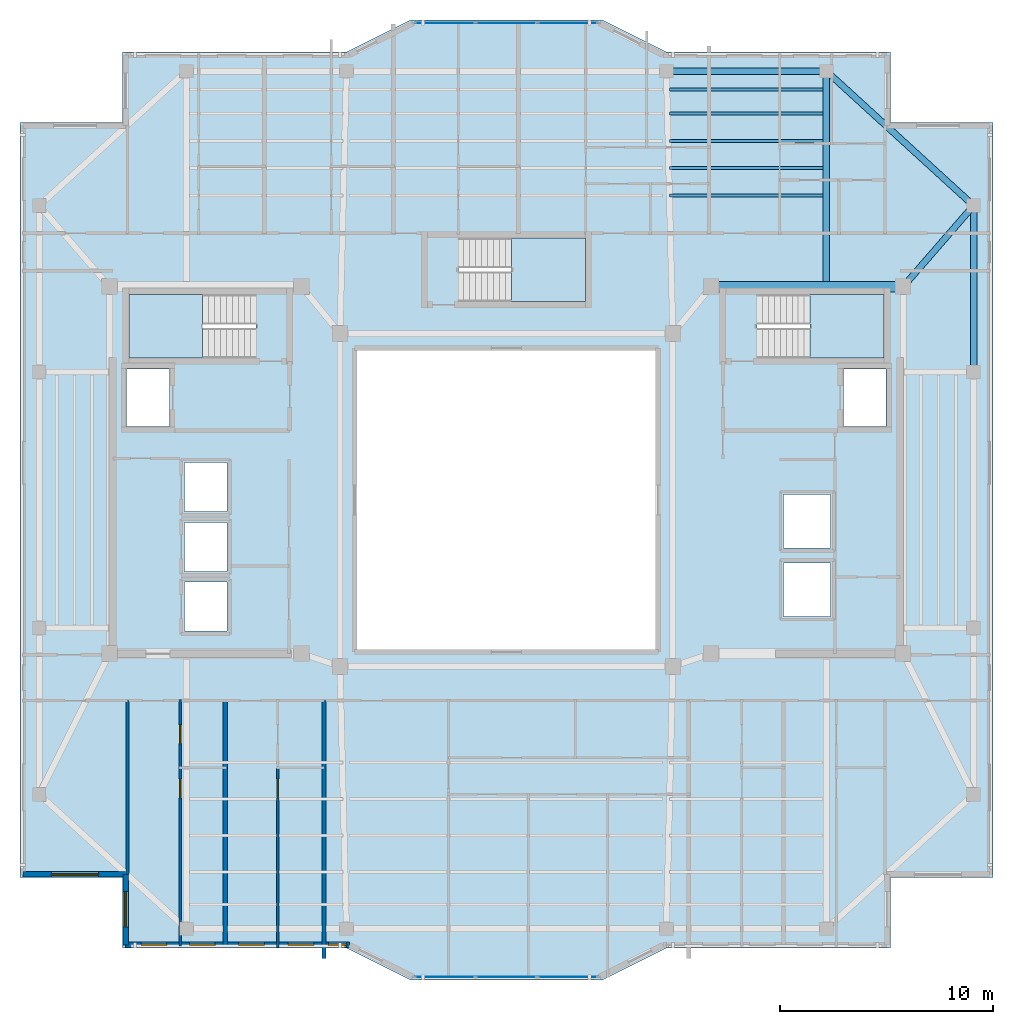
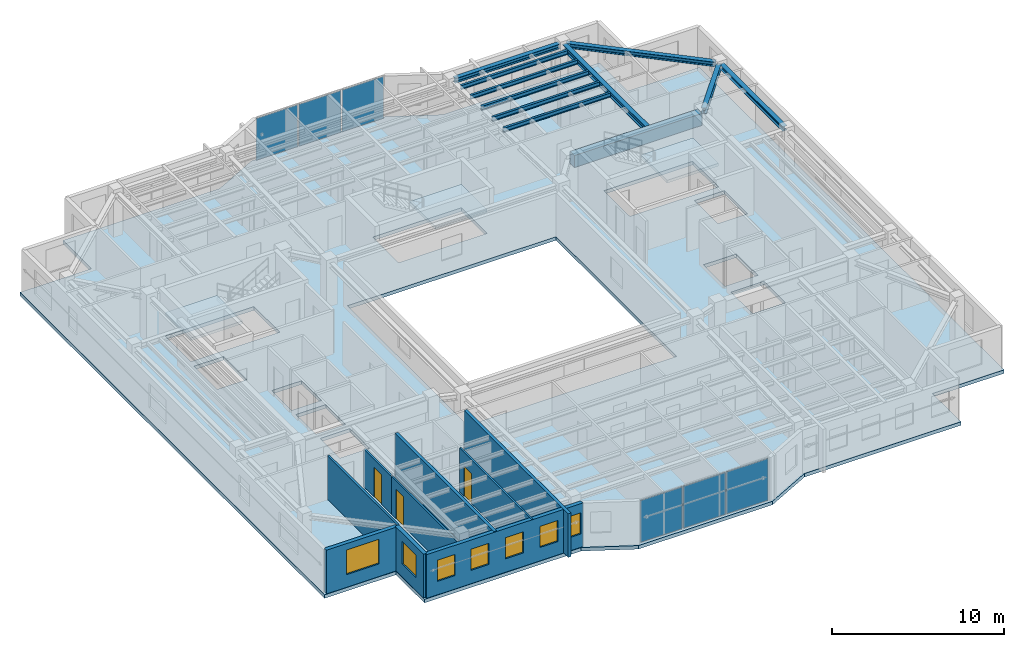
# One storey, part 5 of 14: 11 beams, 9 walls, 7 windows, 6 plates, 4 slabs, 3 doors, 10 openings, 5 elements without a shape of their own.
"""IFC4 building model written with IfcOpenShell, lengths in metres."""

from ifc_helpers import new_model, si_unit, direction, frame, frame_2d, origin, origin_2d, place, context, subcontext, project, spatial, polyline, rectangle, i_section, outline, extrude, material, layer, layer_set, material_profile, profile_set, type_object, element, fill, aggregate, save


model = new_model("IFC4")

# Units and contexts
model_context = context("Model", 3, precision=1e-05, world=origin(), true_north=direction((0.0, 1.0)))
body_context = subcontext(model_context, "Body", "Model", "MODEL_VIEW")
ifc_project = project(units=[si_unit("LENGTHUNIT", "METRE"), si_unit("AREAUNIT", "SQUARE_METRE"), si_unit("VOLUMEUNIT", "CUBIC_METRE"), si_unit("PLANEANGLEUNIT", "RADIAN"), si_unit("MASSUNIT", "GRAM", prefix="KILO")], contexts=[model_context])

# Site, building, storey
site_placement = place(None, origin())
site = spatial("IfcSite", under=ifc_project, at=site_placement, CompositionType="ELEMENT")
building_placement = place(site_placement, origin())
building = spatial("IfcBuilding", under=site, at=building_placement, Name="Tarnavaz Court Tower", CompositionType="ELEMENT")
storey_placement = place(building_placement, frame((0.0, 0.0, 264.949951171875)))
storey = spatial("IfcBuildingStorey", under=building, at=storey_placement, Name="L72", CompositionType="ELEMENT", Elevation=264.949951171875)

# Beams
ifc_material_1 = material(Name="Concrete C50/60", Category="concrete")
ifc_material_profile_1 = material_profile(ifc_material_1, rectangle(XDim=0.5, YDim=0.85009765625, at=origin_2d()), Name="RC 500X850")
ifc_profile_set_1 = profile_set([ifc_material_profile_1], Name="Concrete C50/60")
beam_type_1 = type_object("IfcBeamType", Name="BM-CB850", PredefinedType="LINTEL", material=ifc_profile_set_1)
beam_1_placement = place(storey_placement, frame((18.3798828125, 10.0, 2.675048828125), z_axis=(-1.0, 0.0, 0.0), x_axis=(0.0, -1.0, 0.0)))
element("IfcBeam", 1, at=beam_1_placement, inside=storey, type_object=beam_type_1, Name="L72 Beam IN-CE-NO-CE-NI", PredefinedType="LINTEL", context=body_context, shape_type="SweptSolid", body=[
    extrude(rectangle(XDim=0.5, YDim=0.85009765625, at=origin_2d()), origin(), (0.0, 0.0, 1.0), 8.559814453125),
])
ifc_material_2 = material(Name="Steel S355", Category="steel")
ifc_material_profile_2 = material_profile(ifc_material_2, i_section(OverallWidth=0.300048828125, OverallDepth=0.39990234375, WebThickness=0.013427734375, FlangeThickness=0.02392578125, FilletRadius=0.027099609375, at=origin_2d()), Name="HEB 400")
ifc_profile_set_2 = profile_set([ifc_material_profile_2], Name="Steel S355")
beam_type_2 = type_object("IfcBeamType", Name="BM-G-HEB400", PredefinedType="USERDEFINED", material=ifc_profile_set_2)
beam_2_placement = place(storey_placement, frame((15.0, 10.0400390625, 2.900146484375), z_axis=(0.0, 1.0, 0.0), x_axis=(-1.0, 0.0, 0.0)))
element("IfcBeam", 2, at=beam_2_placement, inside=storey, type_object=beam_type_2, Name="L72 Beam RG-04", ObjectType="GIRDER", PredefinedType="USERDEFINED", context=body_context, shape_type="SweptSolid", body=[
    extrude(i_section(OverallWidth=0.300048828125, OverallDepth=0.39990234375, WebThickness=0.013427734375, FlangeThickness=0.02392578125, FilletRadius=0.027099609375, at=origin_2d()), origin(), (0.0, 0.0, 1.0), 9.83984375),
])
beam_3_placement = place(storey_placement, frame((18.744384765625, 10.166015625, 2.900146484375), z_axis=(0.65565475567, 0.755060819648, 0.0), x_axis=(-0.755060819648, 0.65565475567, 0.0)))
element("IfcBeam", 3, at=beam_3_placement, inside=storey, type_object=beam_type_2, Name="L72 Beam RG-12", ObjectType="GIRDER", PredefinedType="USERDEFINED", context=body_context, shape_type="SweptSolid", body=[
    extrude(i_section(OverallWidth=0.300048828125, OverallDepth=0.39990234375, WebThickness=0.013427734375, FlangeThickness=0.02392578125, FilletRadius=0.027099609375, at=origin_2d()), origin(), (0.0, 0.0, 1.0), 4.5927734375),
])
ifc_material_profile_3 = material_profile(ifc_material_2, i_section(OverallWidth=0.14990234375, OverallDepth=0.300048828125, WebThickness=0.007080078125, FlangeThickness=0.0107421875, FilletRadius=0.014892578125, at=origin_2d()), Name="IPE 300")
ifc_profile_set_3 = profile_set([ifc_material_profile_3], Name="Steel S355")
beam_type_3 = type_object("IfcBeamType", Name="BM-J-IPE300", PredefinedType="JOIST", material=ifc_profile_set_3)
for number, where, z_axis, x_axis, name in (
    (4, (7.64990234375, 14.278076171875, 2.949951171875), (1.0, 0.0, 0.0), (0.0, 1.0, 0.0), "L72 Beam JN1-3"),
    (5, (7.64990234375, 15.555908203125, 2.949951171875), (1.0, 0.0, 0.0), (0.0, 1.0, 0.0), "L72 Beam JN2-3"),
    (6, (7.64990234375, 16.833984375, 2.949951171875), (1.0, 0.0, 0.0), (0.0, 1.0, 0.0), "L72 Beam JN3-3"),
    (7, (7.64990234375, 18.112060546875, 2.949951171875), (1.0, 0.0, 0.0), (0.0, 1.0, 0.0), "L72 Beam JN4-3"),
    (8, (7.64990234375, 19.248046875, 2.949951171875), (1.0, 0.0, 0.0), (0.0, 1.0, 0.0), "L72 Beam JN5-3"),
):
    element("IfcBeam", number, at=place(storey_placement, frame(where, z_axis=z_axis, x_axis=x_axis)), inside=storey, type_object=beam_type_3, Name=name, PredefinedType="JOIST", context=body_context, shape_type="SweptSolid", body=[
        extrude(i_section(OverallWidth=0.14990234375, OverallDepth=0.300048828125, WebThickness=0.007080078125, FlangeThickness=0.0107421875, FilletRadius=0.014892578125, at=origin_2d()), origin(), (0.0, 0.0, 1.0), 7.2001953125),
    ])
ifc_material_profile_4 = material_profile(ifc_material_2, i_section(OverallWidth=0.300048828125, OverallDepth=0.330078125, WebThickness=0.009521484375, FlangeThickness=0.0166015625, FilletRadius=0.027099609375, at=origin_2d()), Name="HEA 340")
ifc_profile_set_4 = profile_set([ifc_material_profile_4], Name="Steel S355")
beam_type_4 = type_object("IfcBeamType", Name="BM-SP-HEA340", PredefinedType="BEAM", material=ifc_profile_set_4)
beam_4_placement = place(storey_placement, frame((7.719970703125, 20.10009765625, 2.93505859375), z_axis=(1.0, 0.0, 0.0), x_axis=(0.0, 1.0, 0.0)))
element("IfcBeam", 9, at=beam_4_placement, inside=storey, type_object=beam_type_4, Name="L72 Beam PR-PN-3-PN-4", PredefinedType="BEAM", context=body_context, shape_type="SweptSolid", body=[
    extrude(i_section(OverallWidth=0.300048828125, OverallDepth=0.330078125, WebThickness=0.009521484375, FlangeThickness=0.0166015625, FilletRadius=0.027099609375, at=origin_2d()), origin(), (0.0, 0.0, 1.0), 7.06005859375),
])
beam_5_placement = place(storey_placement, frame((21.89990234375, 6.219970703125, 2.93505859375), z_axis=(0.0, 1.0, 0.0), x_axis=(-1.0, 0.0, 0.0)))
element("IfcBeam", 10, at=beam_5_placement, inside=storey, type_object=beam_type_4, Name="L72 Beam PR-PE-3-PE-4", PredefinedType="BEAM", context=body_context, shape_type="SweptSolid", body=[
    extrude(i_section(OverallWidth=0.300048828125, OverallDepth=0.330078125, WebThickness=0.009521484375, FlangeThickness=0.0166015625, FilletRadius=0.027099609375, at=origin_2d()), origin(), (0.0, 0.0, 1.0), 7.360107421875),
])
beam_6_placement = place(storey_placement, frame((15.16259765625, 19.95166015625, 2.93505859375), z_axis=(0.738474214476, -0.674281717499, 0.0), x_axis=(0.674281717499, 0.738474214476, 0.0)))
element("IfcBeam", 11, at=beam_6_placement, inside=storey, type_object=beam_type_4, Name="L72 Beam PR-PN-4-PE-4", PredefinedType="BEAM", context=body_context, shape_type="SweptSolid", body=[
    extrude(i_section(OverallWidth=0.300048828125, OverallDepth=0.330078125, WebThickness=0.009521484375, FlangeThickness=0.0166015625, FilletRadius=0.027099609375, at=origin_2d()), origin(), (0.0, 0.0, 1.0), 8.9033203125),
])

# Curtain wall, plates
ifc_material_3 = material(Name="Anodised Aluminium 6063-T6 and Solar Low-E Glazing", Category="aluminium")
ifc_layer_1 = layer(ifc_material_3, 0.159912109375)
ifc_layer_set_1 = layer_set([ifc_layer_1], Name="Anodised Aluminium 6063-T6 and Solar Low-E Glazing")
curtain_wall_type = type_object("IfcCurtainWallType", Name="CW-SYS-03", PredefinedType="NOTDEFINED", material=ifc_layer_set_1)
curtain_wall_1_placement = place(storey_placement, origin())
curtain_wall_1 = element("IfcCurtainWall", 12, at=curtain_wall_1_placement, inside=storey, type_object=curtain_wall_type, Name="L72 Iwan Prow Curtain Wall 7", PredefinedType="NOTDEFINED")
ifc_material_4 = material(Name="Double-Glazed Solar Low-E Glass", Category="glass")
ifc_layer_2 = layer(ifc_material_4, 0.028076171875)
ifc_layer_set_2 = layer_set([ifc_layer_2], Name="Double-Glazed Solar Low-E Glass")
plate_type = type_object("IfcPlateType", Name="CW-PAN-GLZ28", PredefinedType="CURTAIN_PANEL", material=ifc_layer_set_2)
plate_1_placement = place(storey_placement, frame((-2.88134765625, 22.35009765625, 0.06494140625), z_axis=(0.0, 0.0, 1.0), x_axis=(1.0, 0.0, 0.0)))
plate_1 = element("IfcPlate", 13, at=plate_1_placement, type_object=plate_type, Name="CW panel 1.1", PredefinedType="CURTAIN_PANEL", context=body_context, shape_type="SweptSolid", body=[
    extrude(rectangle(XDim=2.78759765625, YDim=0.028076171875, at=origin_2d()), origin(), (0.0, 0.0, 1.0), 2.969970703125),
])
plate_2_placement = place(storey_placement, frame((0.0, 22.35009765625, 0.06494140625), z_axis=(0.0, 0.0, 1.0), x_axis=(1.0, 0.0, 0.0)))
plate_2 = element("IfcPlate", 14, at=plate_2_placement, type_object=plate_type, Name="CW panel 2.1", PredefinedType="CURTAIN_PANEL", context=body_context, shape_type="SweptSolid", body=[
    extrude(rectangle(XDim=2.824951171875, YDim=0.028076171875, at=origin_2d()), origin(), (0.0, 0.0, 1.0), 2.969970703125),
])
plate_3_placement = place(storey_placement, frame((2.88134765625, 22.35009765625, 0.06494140625), z_axis=(0.0, 0.0, 1.0), x_axis=(1.0, 0.0, 0.0)))
plate_3 = element("IfcPlate", 15, at=plate_3_placement, type_object=plate_type, Name="CW panel 3.1", PredefinedType="CURTAIN_PANEL", context=body_context, shape_type="SweptSolid", body=[
    extrude(rectangle(XDim=2.78759765625, YDim=0.028076171875, at=origin_2d()), origin(), (0.0, 0.0, 1.0), 2.969970703125),
])
aggregate(curtain_wall_1, [plate_1, plate_2, plate_3])

curtain_wall_2_placement = place(storey_placement, origin())
curtain_wall_2 = element("IfcCurtainWall", 16, at=curtain_wall_2_placement, inside=storey, type_object=curtain_wall_type, Name="L72 Iwan Prow Curtain Wall 17", PredefinedType="NOTDEFINED")
plate_4_placement = place(storey_placement, frame((2.88134765625, -22.35009765625, 0.06494140625), z_axis=(0.0, 0.0, 1.0), x_axis=(-1.0, 0.0, 0.0)))
plate_4 = element("IfcPlate", 17, at=plate_4_placement, type_object=plate_type, Name="CW panel 1.1", PredefinedType="CURTAIN_PANEL", context=body_context, shape_type="SweptSolid", body=[
    extrude(rectangle(XDim=2.78759765625, YDim=0.028076171875, at=origin_2d()), origin(), (0.0, 0.0, 1.0), 2.969970703125),
])
plate_5_placement = place(storey_placement, frame((0.0, -22.35009765625, 0.06494140625), z_axis=(0.0, 0.0, 1.0), x_axis=(-1.0, 0.0, 0.0)))
plate_5 = element("IfcPlate", 18, at=plate_5_placement, type_object=plate_type, Name="CW panel 2.1", PredefinedType="CURTAIN_PANEL", context=body_context, shape_type="SweptSolid", body=[
    extrude(rectangle(XDim=2.824951171875, YDim=0.028076171875, at=origin_2d()), origin(), (0.0, 0.0, 1.0), 2.969970703125),
])
plate_6_placement = place(storey_placement, frame((-2.88134765625, -22.35009765625, 0.06494140625), z_axis=(0.0, 0.0, 1.0), x_axis=(-1.0, 0.0, 0.0)))
plate_6 = element("IfcPlate", 19, at=plate_6_placement, type_object=plate_type, Name="CW panel 3.1", PredefinedType="CURTAIN_PANEL", context=body_context, shape_type="SweptSolid", body=[
    extrude(rectangle(XDim=2.78759765625, YDim=0.028076171875, at=origin_2d()), origin(), (0.0, 0.0, 1.0), 2.969970703125),
])
aggregate(curtain_wall_2, [plate_4, plate_5, plate_6])

# Stair, slab
ifc_material_5 = material(Name="Concrete C40/50", Category="concrete")
stair_type = type_object("IfcStairType", Name="ST-TWR-20R", PredefinedType="HALF_TURN_STAIR", material=ifc_material_5)
stair_1_placement = place(storey_placement, origin())
stair_1 = element("IfcStair", 20, at=stair_1_placement, inside=storey, type_object=stair_type, Name="L72 West Core Pressurized Exit Stair ST-W1", PredefinedType="HALF_TURN_STAIR")
ifc_layer_3 = layer(ifc_material_5, 0.199951171875)
ifc_layer_set_3 = layer_set([ifc_layer_3], Name="Concrete C40/50")
slab_type_1 = type_object("IfcSlabType", Name="SL-LAND-200", PredefinedType="LANDING", material=ifc_layer_set_3)
slab_1_placement = place(storey_placement, frame((0.0, 0.0, 1.47509765625)))
slab_1 = element("IfcSlab", 21, at=slab_1_placement, type_object=slab_type_1, Name="ST-W1 landing 1", PredefinedType="LANDING", context=body_context, shape_type="SweptSolid", body=[
    extrude(outline(polyline([(-14.239990234375, 9.639892578125), (-17.699951171875, 9.639892578125), (-17.699951171875, 6.64990234375), (-14.239990234375, 6.64990234375), (-14.239990234375, 9.639892578125)])), origin(), (0.0, 0.0, 1.0), 0.199951171875),
])
aggregate(stair_1, [slab_1])

stair_2_placement = place(storey_placement, origin())
stair_2 = element("IfcStair", 22, at=stair_2_placement, inside=storey, type_object=stair_type, Name="L72 East Core Pressurized Exit Stair ST-E1", PredefinedType="HALF_TURN_STAIR")
slab_2_placement = place(storey_placement, frame((0.0, 0.0, 1.47509765625)))
slab_2 = element("IfcSlab", 23, at=slab_2_placement, type_object=slab_type_1, Name="ST-E1 landing 1", PredefinedType="LANDING", context=body_context, shape_type="SweptSolid", body=[
    extrude(outline(polyline([(14.239990234375, 6.64990234375), (17.699951171875, 6.64990234375), (17.699951171875, 9.639892578125), (14.239990234375, 9.639892578125), (14.239990234375, 6.64990234375)])), origin(), (0.0, 0.0, 1.0), 0.199951171875),
])
aggregate(stair_2, [slab_2])

stair_3_placement = place(storey_placement, origin())
stair_3 = element("IfcStair", 24, at=stair_3_placement, inside=storey, type_object=stair_type, Name="L72 North Ring Pressurized Exit Stair ST-N1", PredefinedType="HALF_TURN_STAIR")
slab_3_placement = place(storey_placement, frame((0.0, 0.0, 1.47509765625)))
slab_3 = element("IfcSlab", 25, at=slab_3_placement, type_object=slab_type_1, Name="ST-N1 landing 1", PredefinedType="LANDING", context=body_context, shape_type="SweptSolid", body=[
    extrude(outline(polyline([(0.239990234375, 9.300048828125), (3.699951171875, 9.300048828125), (3.699951171875, 12.2900390625), (0.239990234375, 12.2900390625), (0.239990234375, 9.300048828125)])), origin(), (0.0, 0.0, 1.0), 0.199951171875),
])
aggregate(stair_3, [slab_3])

# Slab
ifc_layer_4 = layer(ifc_material_5, 0.25)
ifc_layer_set_4 = layer_set([ifc_layer_4], Name="Concrete C40/50")
slab_type_2 = type_object("IfcSlabType", Name="SL-RES-250", PredefinedType="FLOOR", material=ifc_layer_set_4)
slab_4_placement = place(storey_placement, frame((0.0, 0.0, -0.25)))
element("IfcSlab", 26, at=slab_4_placement, inside=storey, type_object=slab_type_2, Name="L72 Structural Floor Slab", PredefinedType="FLOOR", context=body_context, shape_type="SweptSolid", body=[
    extrude(outline(polyline([(-18.0, -21.0), (-7.5, -21.0), (-4.5, -22.5), (4.5, -22.5), (7.5, -21.0), (18.0, -21.0), (18.0, -17.699951171875), (22.800048828125, -17.699951171875), (22.800048828125, 17.699951171875), (18.0, 17.699951171875), (18.0, 21.0), (7.5, 21.0), (4.5, 22.5), (-4.5, 22.5), (-7.5, 21.0), (-18.0, 21.0), (-18.0, 17.699951171875), (-22.800048828125, 17.699951171875), (-22.800048828125, -17.699951171875), (-18.0, -17.699951171875), (-18.0, -21.0)]), holes=[polyline([(-7.0, -7.0), (7.0, -7.0), (7.0, 7.0), (-7.0, 7.0), (-7.0, -7.0)]), polyline([(-11.7451171875, 9.639892578125), (-17.699951171875, 9.639892578125), (-17.699951171875, 6.64990234375), (-11.7451171875, 6.64990234375), (-11.7451171875, 9.639892578125)]), polyline([(11.7451171875, 6.64990234375), (17.699951171875, 6.64990234375), (17.699951171875, 9.639892578125), (11.7451171875, 9.639892578125), (11.7451171875, 6.64990234375)]), polyline([(-2.2548828125, 9.300048828125), (3.699951171875, 9.300048828125), (3.699951171875, 12.2900390625), (-2.2548828125, 12.2900390625), (-2.2548828125, 9.300048828125)]), polyline([(-17.800048828125, 3.449951171875), (-15.800048828125, 3.449951171875), (-15.800048828125, 6.14990234375), (-17.800048828125, 6.14990234375), (-17.800048828125, 3.449951171875)]), polyline([(-15.10009765625, -6.14990234375), (-13.10009765625, -6.14990234375), (-13.10009765625, -3.85009765625), (-15.10009765625, -3.85009765625), (-15.10009765625, -6.14990234375)]), polyline([(-15.10009765625, -3.35009765625), (-13.10009765625, -3.35009765625), (-13.10009765625, -1.050048828125), (-15.10009765625, -1.050048828125), (-15.10009765625, -3.35009765625)]), polyline([(-15.10009765625, -0.550048828125), (-13.10009765625, -0.550048828125), (-13.10009765625, 1.75), (-15.10009765625, 1.75), (-15.10009765625, -0.550048828125)]), polyline([(15.800048828125, 3.449951171875), (17.800048828125, 3.449951171875), (17.800048828125, 6.14990234375), (15.800048828125, 6.14990234375), (15.800048828125, 3.449951171875)]), polyline([(13.0, -5.449951171875), (15.199951171875, -5.449951171875), (15.199951171875, -2.949951171875), (13.0, -2.949951171875), (13.0, -5.449951171875)]), polyline([(13.0, -2.25), (15.199951171875, -2.25), (15.199951171875, 0.25), (13.0, 0.25), (13.0, -2.25)])]), origin(), (0.0, 0.0, 1.0), 0.25),
])

# Wall, opening, window
ifc_material_6 = material(Name="Precast Concrete C40/50", Category="concrete")
ifc_layer_5 = layer(ifc_material_6, 0.260009765625)
ifc_layer_set_5 = layer_set([ifc_layer_5], Name="Precast Concrete C40/50")
wall_type_1 = type_object("IfcWallType", Name="WL-EXT-260", PredefinedType="SOLIDWALL", material=ifc_layer_set_5)
wall_1_placement = place(storey_placement, frame((-17.85009765625, -17.550048828125, 0.0), z_axis=(0.0, 0.0, 1.0), x_axis=(-1.0, 0.0, 0.0)))
wall_1 = element("IfcWall", 27, at=wall_1_placement, inside=storey, type_object=wall_type_1, Name="L72 Exterior Terracotta Facade Wall 01", PredefinedType="SOLIDWALL", context=body_context, shape_type="SweptSolid", body=[
    extrude(rectangle(XDim=4.7998046875, YDim=0.260009765625, at=frame_2d((2.39990234375, 0.0))), origin(), (0.0, 0.0, 1.0), 3.10009765625),
])
opening_1_placement = place(wall_1_placement, frame((1.274658203125, 0.0, 0.89990234375)))
opening_1 = element("IfcOpeningElement", 28, at=opening_1_placement, cuts=wall_1, Name="Opening W07", PredefinedType="OPENING", context=body_context, shape_type="SweptSolid", body=[
    extrude(rectangle(XDim=2.199951171875, YDim=1.75, at=frame_2d((1.10009765625, 0.875))), frame((0.0, 0.139892578125, 0.0), z_axis=(0.0, -1.0, 0.0), x_axis=(1.0, 0.0, 0.0)), (0.0, 0.0, 1.0), 0.280029296875),
])
window_type_1 = type_object("IfcWindowType", Name="WN-APT-2200", PartitioningType="TRIPLE_PANEL_VERTICAL", PredefinedType="WINDOW", material=ifc_material_4)
window_1_placement = place(opening_1_placement, origin())
window_1 = element("IfcWindow", 29, at=window_1_placement, inside=storey, type_object=window_type_1, Name="L72 South-West Corner Reading Room Window", OverallHeight=1.75, OverallWidth=2.199951171875, PartitioningType="SINGLE_PANEL", PredefinedType="WINDOW", context=body_context, shape_type="SweptSolid", body=[
    extrude(rectangle(XDim=2.199951171875, YDim=1.75, at=frame_2d((1.10009765625, 0.875))), frame((0.0, 0.030029296875, 0.0), z_axis=(0.0, -1.0, 0.0), x_axis=(1.0, 0.0, 0.0)), (0.0, 0.0, 1.0), 0.06005859375),
])
fill(opening_1, window_1)

# Wall, openings, windows
wall_2_placement = place(storey_placement, frame((-7.35009765625, -20.85009765625, 0.0), z_axis=(0.0, 0.0, 1.0), x_axis=(-1.0, 0.0, 0.0)))
wall_2 = element("IfcWall", 30, at=wall_2_placement, inside=storey, type_object=wall_type_1, Name="L72 Exterior Terracotta Facade Wall 19", PredefinedType="SOLIDWALL", context=body_context, shape_type="SweptSolid", body=[
    extrude(rectangle(XDim=10.5, YDim=0.260009765625, at=frame_2d((5.25, 0.0))), origin(), (0.0, 0.0, 1.0), 3.10009765625),
])
opening_2_placement = place(wall_2_placement, frame((0.14501953125, 0.0, 0.949951171875)))
opening_2 = element("IfcOpeningElement", 31, at=opening_2_placement, cuts=wall_2, Name="Opening W15", PredefinedType="OPENING", context=body_context, shape_type="SweptSolid", body=[
    extrude(rectangle(XDim=0.85009765625, YDim=1.5, at=frame_2d((0.425048828125, 0.75))), frame((0.0, 0.139892578125, 0.0), z_axis=(0.0, -1.0, 0.0), x_axis=(1.0, 0.0, 0.0)), (0.0, 0.0, 1.0), 0.280029296875),
])
opening_3_placement = place(wall_2_placement, frame((1.677490234375, 0.0, 0.949951171875)))
opening_3 = element("IfcOpeningElement", 32, at=opening_3_placement, cuts=wall_2, Name="Opening W05", PredefinedType="OPENING", context=body_context, shape_type="SweptSolid", body=[
    extrude(rectangle(XDim=1.199951171875, YDim=1.5, at=frame_2d((0.60009765625, 0.75))), frame((0.0, 0.139892578125, 0.0), z_axis=(0.0, -1.0, 0.0), x_axis=(1.0, 0.0, 0.0)), (0.0, 0.0, 1.0), 0.280029296875),
])
opening_4_placement = place(wall_2_placement, frame((4.0, 0.0, 0.949951171875)))
opening_4 = element("IfcOpeningElement", 33, at=opening_4_placement, cuts=wall_2, Name="Opening W05", PredefinedType="OPENING", context=body_context, shape_type="SweptSolid", body=[
    extrude(rectangle(XDim=1.199951171875, YDim=1.5, at=frame_2d((0.60009765625, 0.75))), frame((0.0, 0.139892578125, 0.0), z_axis=(0.0, -1.0, 0.0), x_axis=(1.0, 0.0, 0.0)), (0.0, 0.0, 1.0), 0.280029296875),
])
opening_5_placement = place(wall_2_placement, frame((6.302490234375, 0.0, 0.949951171875)))
opening_5 = element("IfcOpeningElement", 34, at=opening_5_placement, cuts=wall_2, Name="Opening W05", PredefinedType="OPENING", context=body_context, shape_type="SweptSolid", body=[
    extrude(rectangle(XDim=1.199951171875, YDim=1.5, at=frame_2d((0.60009765625, 0.75))), frame((0.0, 0.139892578125, 0.0), z_axis=(0.0, -1.0, 0.0), x_axis=(1.0, 0.0, 0.0)), (0.0, 0.0, 1.0), 0.280029296875),
])
opening_6_placement = place(wall_2_placement, frame((8.574951171875, 0.0, 0.949951171875)))
opening_6 = element("IfcOpeningElement", 35, at=opening_6_placement, cuts=wall_2, Name="Opening W05", PredefinedType="OPENING", context=body_context, shape_type="SweptSolid", body=[
    extrude(rectangle(XDim=1.199951171875, YDim=1.5, at=frame_2d((0.60009765625, 0.75))), frame((0.0, 0.139892578125, 0.0), z_axis=(0.0, -1.0, 0.0), x_axis=(1.0, 0.0, 0.0)), (0.0, 0.0, 1.0), 0.280029296875),
])
window_type_2 = type_object("IfcWindowType", Name="WN-APT-1200", PartitioningType="SINGLE_PANEL", PredefinedType="WINDOW", material=ifc_material_4)
window_2_placement = place(opening_3_placement, origin())
window_2 = element("IfcWindow", 36, at=window_2_placement, inside=storey, type_object=window_type_2, Name="L72 Flat 07 Kitchen Window", OverallHeight=1.5, OverallWidth=1.199951171875, PartitioningType="SINGLE_PANEL", PredefinedType="WINDOW", context=body_context, shape_type="SweptSolid", body=[
    extrude(rectangle(XDim=1.199951171875, YDim=1.5, at=frame_2d((0.60009765625, 0.75))), frame((0.0, 0.030029296875, 0.0), z_axis=(0.0, -1.0, 0.0), x_axis=(1.0, 0.0, 0.0)), (0.0, 0.0, 1.0), 0.06005859375),
])
fill(opening_3, window_2)
window_3_placement = place(opening_4_placement, origin())
window_3 = element("IfcWindow", 37, at=window_3_placement, inside=storey, type_object=window_type_2, Name="L72 Flat 07 Studio Living and Sleeping Room Window", OverallHeight=1.5, OverallWidth=1.199951171875, PartitioningType="SINGLE_PANEL", PredefinedType="WINDOW", context=body_context, shape_type="SweptSolid", body=[
    extrude(rectangle(XDim=1.199951171875, YDim=1.5, at=frame_2d((0.60009765625, 0.75))), frame((0.0, 0.030029296875, 0.0), z_axis=(0.0, -1.0, 0.0), x_axis=(1.0, 0.0, 0.0)), (0.0, 0.0, 1.0), 0.06005859375),
])
fill(opening_4, window_3)
window_4_placement = place(opening_5_placement, origin())
window_4 = element("IfcWindow", 38, at=window_4_placement, inside=storey, type_object=window_type_2, Name="L72 Flat 06 Kitchen Window", OverallHeight=1.5, OverallWidth=1.199951171875, PartitioningType="SINGLE_PANEL", PredefinedType="WINDOW", context=body_context, shape_type="SweptSolid", body=[
    extrude(rectangle(XDim=1.199951171875, YDim=1.5, at=frame_2d((0.60009765625, 0.75))), frame((0.0, 0.030029296875, 0.0), z_axis=(0.0, -1.0, 0.0), x_axis=(1.0, 0.0, 0.0)), (0.0, 0.0, 1.0), 0.06005859375),
])
fill(opening_5, window_4)
window_5_placement = place(opening_6_placement, origin())
window_5 = element("IfcWindow", 39, at=window_5_placement, inside=storey, type_object=window_type_2, Name="L72 Flat 06 Studio Living and Sleeping Room Window", OverallHeight=1.5, OverallWidth=1.199951171875, PartitioningType="SINGLE_PANEL", PredefinedType="WINDOW", context=body_context, shape_type="SweptSolid", body=[
    extrude(rectangle(XDim=1.199951171875, YDim=1.5, at=frame_2d((0.60009765625, 0.75))), frame((0.0, 0.030029296875, 0.0), z_axis=(0.0, -1.0, 0.0), x_axis=(1.0, 0.0, 0.0)), (0.0, 0.0, 1.0), 0.06005859375),
])
fill(opening_6, window_5)
window_type_3 = type_object("IfcWindowType", Name="WN-APT-850", PartitioningType="SINGLE_PANEL", PredefinedType="WINDOW", material=ifc_material_4)
window_6_placement = place(opening_2_placement, origin())
window_6 = element("IfcWindow", 40, at=window_6_placement, inside=storey, type_object=window_type_3, Name="L72 Flat 10 Living and Dining Room Window", OverallHeight=1.5, OverallWidth=0.85009765625, PartitioningType="SINGLE_PANEL", PredefinedType="WINDOW", context=body_context, shape_type="SweptSolid", body=[
    extrude(rectangle(XDim=0.85009765625, YDim=1.5, at=frame_2d((0.425048828125, 0.75))), frame((0.0, 0.030029296875, 0.0), z_axis=(0.0, -1.0, 0.0), x_axis=(1.0, 0.0, 0.0)), (0.0, 0.0, 1.0), 0.06005859375),
])
fill(opening_2, window_6)

# Wall, opening, window
wall_3_placement = place(storey_placement, frame((-17.85009765625, -20.85009765625, 0.0), z_axis=(0.0, 0.0, 1.0), x_axis=(0.0, 1.0, 0.0)))
wall_3 = element("IfcWall", 41, at=wall_3_placement, inside=storey, type_object=wall_type_1, Name="L72 Exterior Terracotta Facade Wall 20", PredefinedType="SOLIDWALL", context=body_context, shape_type="SweptSolid", body=[
    extrude(rectangle(XDim=3.300048828125, YDim=0.260009765625, at=frame_2d((1.64990234375, 0.0))), origin(), (0.0, 0.0, 1.0), 3.10009765625),
])
opening_7_placement = place(wall_3_placement, frame((0.842529296875, 0.0, 0.89990234375)))
opening_7 = element("IfcOpeningElement", 42, at=opening_7_placement, cuts=wall_3, Name="Opening W02", PredefinedType="OPENING", context=body_context, shape_type="SweptSolid", body=[
    extrude(rectangle(XDim=1.64990234375, YDim=1.60009765625, at=frame_2d((0.824951171875, 0.800048828125))), frame((0.0, 0.139892578125, 0.0), z_axis=(0.0, -1.0, 0.0), x_axis=(1.0, 0.0, 0.0)), (0.0, 0.0, 1.0), 0.280029296875),
])
window_type_4 = type_object("IfcWindowType", Name="WN-APT-1650", PartitioningType="DOUBLE_PANEL_VERTICAL", PredefinedType="WINDOW", material=ifc_material_4)
window_7_placement = place(opening_7_placement, origin())
window_7 = element("IfcWindow", 43, at=window_7_placement, inside=storey, type_object=window_type_4, Name="L72 Flat 06 Studio Living and Sleeping Room Window", OverallHeight=1.60009765625, OverallWidth=1.64990234375, PartitioningType="SINGLE_PANEL", PredefinedType="WINDOW", context=body_context, shape_type="SweptSolid", body=[
    extrude(rectangle(XDim=1.64990234375, YDim=1.60009765625, at=frame_2d((0.824951171875, 0.800048828125))), frame((0.0, 0.030029296875, 0.0), z_axis=(0.0, -1.0, 0.0), x_axis=(1.0, 0.0, 0.0)), (0.0, 0.0, 1.0), 0.06005859375),
])
fill(opening_7, window_7)

# Walls
ifc_material_7 = material(Name="Autoclaved Aerated Concrete Blockwork", Category="masonry")
ifc_layer_6 = layer(ifc_material_7, 0.199951171875)
ifc_layer_set_6 = layer_set([ifc_layer_6], Name="Autoclaved Aerated Concrete Blockwork")
wall_type_2 = type_object("IfcWallType", Name="WL-FIRE-200", PredefinedType="SOLIDWALL", material=ifc_layer_set_6)
wall_4_placement = place(storey_placement, frame((-13.175048828125, -20.89990234375, 0.0), z_axis=(0.0, 0.0, 1.0), x_axis=(0.0, 1.0, 0.0)))
element("IfcWall", 44, at=wall_4_placement, inside=storey, type_object=wall_type_2, Name="L72 Party Wall 085", PredefinedType="SOLIDWALL", context=body_context, shape_type="SweptSolid", body=[
    extrude(rectangle(XDim=11.5, YDim=0.199951171875, at=frame_2d((5.75, 0.0))), origin(), (0.0, 0.0, 1.0), 3.10009765625),
])
wall_5_placement = place(storey_placement, frame((-8.550048828125, -21.50390625, 0.0), z_axis=(0.0, 0.0, 1.0), x_axis=(0.0, 1.0, 0.0)))
element("IfcWall", 45, at=wall_5_placement, inside=storey, type_object=wall_type_2, Name="L72 Party Wall 099", PredefinedType="SOLIDWALL", context=body_context, shape_type="SweptSolid", body=[
    extrude(rectangle(XDim=12.10400390625, YDim=0.199951171875, at=frame_2d((6.052001953125, 0.0))), origin(), (0.0, 0.0, 1.0), 3.10009765625),
])

# Wall, opening, door
ifc_material_8 = material(Name="Moisture-Resistant Gypsum Board Partition", Category="masonry")
ifc_layer_7 = layer(ifc_material_8, 0.1201171875)
ifc_layer_set_7 = layer_set([ifc_layer_7], Name="Moisture-Resistant Gypsum Board Partition")
wall_type_3 = type_object("IfcWallType", Name="WL-PART-120", PredefinedType="PARTITIONING", material=ifc_layer_set_7)
wall_6_placement = place(storey_placement, frame((-15.2900390625, -20.89990234375, 0.0), z_axis=(0.0, 0.0, 1.0), x_axis=(0.0, 1.0, 0.0)))
wall_6 = element("IfcWall", 46, at=wall_6_placement, inside=storey, type_object=wall_type_3, Name="L72 Interior Partition 086", PredefinedType="PARTITIONING", context=body_context, shape_type="SweptSolid", body=[
    extrude(rectangle(XDim=8.33984375, YDim=0.1201171875, at=frame_2d((4.169921875, 0.0))), origin(), (0.0, 0.0, 1.0), 2.68505859375),
])
opening_8_placement = place(wall_6_placement, frame((6.93994140625, 0.0, 0.0)))
opening_8 = element("IfcOpeningElement", 47, at=opening_8_placement, cuts=wall_6, Name="Opening D14", PredefinedType="OPENING", context=body_context, shape_type="SweptSolid", body=[
    extrude(rectangle(XDim=0.8798828125, YDim=2.10009765625, at=frame_2d((0.43994140625, 1.050048828125))), frame((0.0, 0.070068359375, 0.0), z_axis=(0.0, -1.0, 0.0), x_axis=(1.0, 0.0, 0.0)), (0.0, 0.0, 1.0), 0.14013671875),
])
ifc_material_9 = material(Name="Engineered Oak Timber", Category="wood")
door_type = type_object("IfcDoorType", Name="DR-INT-900", OperationType="NOTDEFINED", PredefinedType="DOOR", material=ifc_material_9)
door_1_placement = place(opening_8_placement, origin())
door_1 = element("IfcDoor", 48, at=door_1_placement, inside=storey, type_object=door_type, Name="L72 Flat 06 Kitchen Door", OperationType="SINGLE_SWING_RIGHT", OverallHeight=2.10009765625, OverallWidth=0.8798828125, PredefinedType="DOOR", context=body_context, shape_type="SweptSolid", body=[
    extrude(rectangle(XDim=0.8798828125, YDim=2.10009765625, at=frame_2d((0.43994140625, 1.050048828125))), frame((0.0, 0.02490234375, 0.0), z_axis=(0.0, -1.0, 0.0), x_axis=(1.0, 0.0, 0.0)), (0.0, 0.0, 1.0), 0.050048828125),
])
fill(opening_8, door_1)

wall_7_placement = place(storey_placement, frame((-15.2900390625, -12.56005859375, 0.0), z_axis=(0.0, 0.0, 1.0), x_axis=(0.0, 1.0, 0.0)))
wall_7 = element("IfcWall", 49, at=wall_7_placement, inside=storey, type_object=wall_type_3, Name="L72 Interior Partition 087", PredefinedType="PARTITIONING", context=body_context, shape_type="SweptSolid", body=[
    extrude(rectangle(XDim=3.219970703125, YDim=0.1201171875, at=frame_2d((1.60986328125, 0.0))), origin(), (0.0, 0.0, 1.0), 2.68505859375),
])
opening_9_placement = place(wall_7_placement, frame((1.139892578125, 0.0, 0.0)))
opening_9 = element("IfcOpeningElement", 50, at=opening_9_placement, cuts=wall_7, Name="Opening D14", PredefinedType="OPENING", context=body_context, shape_type="SweptSolid", body=[
    extrude(rectangle(XDim=0.8798828125, YDim=2.10009765625, at=frame_2d((0.43994140625, 1.050048828125))), frame((0.0, 0.070068359375, 0.0), z_axis=(0.0, -1.0, 0.0), x_axis=(1.0, 0.0, 0.0)), (0.0, 0.0, 1.0), 0.14013671875),
])
door_2_placement = place(opening_9_placement, origin())
door_2 = element("IfcDoor", 51, at=door_2_placement, inside=storey, type_object=door_type, Name="L72 Flat 06 Bathroom Door", OperationType="SINGLE_SWING_LEFT", OverallHeight=2.10009765625, OverallWidth=0.8798828125, PredefinedType="DOOR", context=body_context, shape_type="SweptSolid", body=[
    extrude(rectangle(XDim=0.8798828125, YDim=2.10009765625, at=frame_2d((0.43994140625, 1.050048828125))), frame((0.0, 0.02490234375, 0.0), z_axis=(0.0, -1.0, 0.0), x_axis=(1.0, 0.0, 0.0)), (0.0, 0.0, 1.0), 0.050048828125),
])
fill(opening_9, door_2)

wall_8_placement = place(storey_placement, frame((-10.715087890625, -20.969970703125, 0.0), z_axis=(0.0, 0.0, 1.0), x_axis=(0.0, 1.0, 0.0)))
wall_8 = element("IfcWall", 52, at=wall_8_placement, inside=storey, type_object=wall_type_3, Name="L72 Interior Partition 089", PredefinedType="PARTITIONING", context=body_context, shape_type="SweptSolid", body=[
    extrude(rectangle(XDim=8.409912109375, YDim=0.1201171875, at=frame_2d((4.205078125, 0.0))), origin(), (0.0, 0.0, 1.0), 3.10009765625),
])
opening_10_placement = place(wall_8_placement, frame((7.010009765625, 0.0, 0.0)))
opening_10 = element("IfcOpeningElement", 53, at=opening_10_placement, cuts=wall_8, Name="Opening D14", PredefinedType="OPENING", context=body_context, shape_type="SweptSolid", body=[
    extrude(rectangle(XDim=0.8798828125, YDim=2.10009765625, at=frame_2d((0.43994140625, 1.050048828125))), frame((0.0, 0.070068359375, 0.0), z_axis=(0.0, -1.0, 0.0), x_axis=(1.0, 0.0, 0.0)), (0.0, 0.0, 1.0), 0.14013671875),
])
door_3_placement = place(opening_10_placement, origin())
door_3 = element("IfcDoor", 54, at=door_3_placement, inside=storey, type_object=door_type, Name="L72 Flat 07 Kitchen Door", OperationType="SINGLE_SWING_LEFT", OverallHeight=2.10009765625, OverallWidth=0.8798828125, PredefinedType="DOOR", context=body_context, shape_type="SweptSolid", body=[
    extrude(rectangle(XDim=0.8798828125, YDim=2.10009765625, at=frame_2d((0.43994140625, 1.050048828125))), frame((0.0, 0.02490234375, 0.0), z_axis=(0.0, -1.0, 0.0), x_axis=(1.0, 0.0, 0.0)), (0.0, 0.0, 1.0), 0.050048828125),
])
fill(opening_10, door_3)

# Wall
ifc_material_10 = material(Name="Gypsum Plasterboard Acoustic Partition", Category="masonry")
ifc_layer_8 = layer(ifc_material_10, 0.139892578125)
ifc_layer_set_8 = layer_set([ifc_layer_8], Name="Gypsum Plasterboard Acoustic Partition")
wall_type_4 = type_object("IfcWallType", Name="WL-PART-150", PredefinedType="PARTITIONING", material=ifc_layer_set_8)
wall_9_placement = place(storey_placement, frame((-17.75, -17.550048828125, 0.0), z_axis=(0.0, 0.0, 1.0), x_axis=(0.0, 1.0, 0.0)))
element("IfcWall", 55, at=wall_9_placement, inside=storey, type_object=wall_type_4, Name="L72 Interior Partition 113", PredefinedType="PARTITIONING", context=body_context, shape_type="SweptSolid", body=[
    extrude(rectangle(XDim=8.150146484375, YDim=0.139892578125, at=frame_2d((4.0751953125, 0.0))), origin(), (0.0, 0.0, 1.0), 3.10009765625),
])

save(model, "model.ifc")
